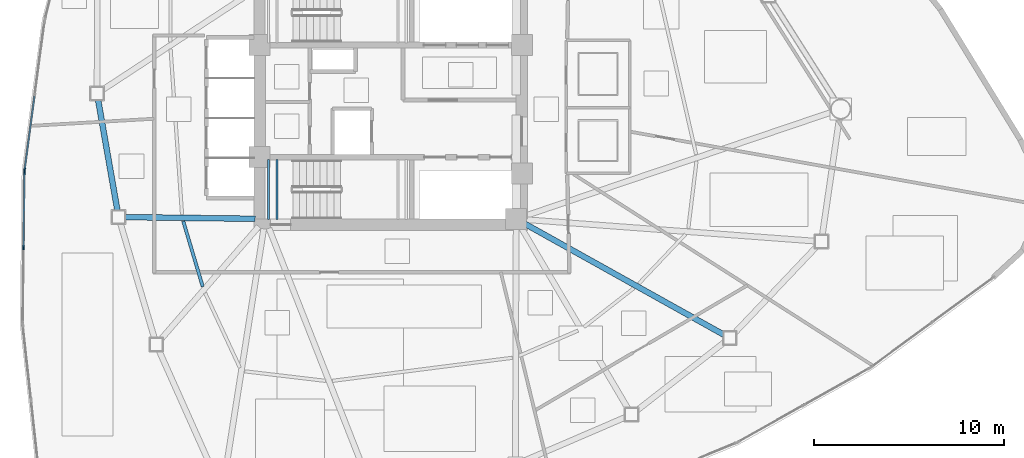
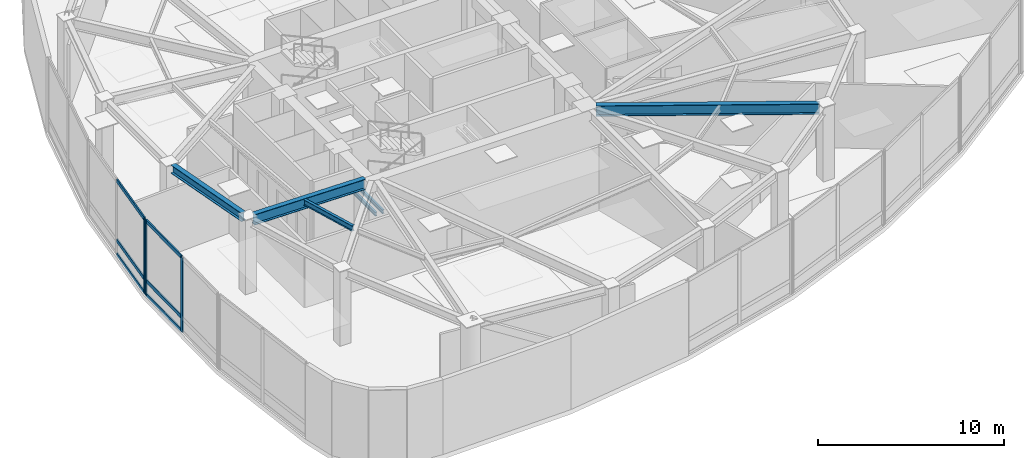
# One storey, part 3 of 14: 9 members, 6 beams, 2 elements without a shape of their own.
"""IFC4 building model written with IfcOpenShell, lengths in metres."""

from ifc_helpers import new_model, si_unit, direction, frame, origin, origin_2d, place, context, subcontext, project, spatial, hollow_rectangle, i_section, extrude, source, transform, mapped, material, layer, layer_set, material_profile, profile_set, type_object, type_shapes, element, aggregate, save


model = new_model("IFC4")

# Units and contexts
model_context = context("Model", 3, precision=1e-05, world=origin(), true_north=direction((0.0, 1.0)))
body_context = subcontext(model_context, "Body", "Model", "MODEL_VIEW")
ifc_project = project(units=[si_unit("LENGTHUNIT", "METRE"), si_unit("AREAUNIT", "SQUARE_METRE"), si_unit("VOLUMEUNIT", "CUBIC_METRE"), si_unit("PLANEANGLEUNIT", "RADIAN"), si_unit("MASSUNIT", "GRAM", prefix="KILO")], contexts=[model_context])

# Site, building, storey
site_placement = place(None, origin())
site = spatial("IfcSite", under=ifc_project, at=site_placement, CompositionType="ELEMENT")
building_placement = place(site_placement, origin())
building = spatial("IfcBuilding", under=site, at=building_placement, Name="Tavelor Broadcast Tower", CompositionType="ELEMENT")
storey_placement = place(building_placement, frame((0.0, 0.0, 110.39990234375)))
storey = spatial("IfcBuildingStorey", under=building, at=storey_placement, Name="L25", CompositionType="ELEMENT", Elevation=110.39990234375)

# Beams
ifc_material_1 = material(Name="Steel S355", Category="steel")
ifc_material_profile_1 = material_profile(ifc_material_1, i_section(OverallWidth=0.169921875, OverallDepth=0.360107421875, WebThickness=0.008056640625, FlangeThickness=0.0126953125, at=origin_2d()), Name="IPE 360")
ifc_profile_set_1 = profile_set([ifc_material_profile_1], Name="Steel S355")
beam_type_1 = type_object("IfcBeamType", Name="Composite Floor Joist T3 IPE 360", PredefinedType="JOIST", material=ifc_profile_set_1)
beam_1_placement = place(storey_placement, frame((39.084716796875, 38.68310546875, 4.72021484375), z_axis=(0.285203072184, -0.958467113477, 0.0), x_axis=(0.958467113477, 0.285203072184, 0.0)))
element("IfcBeam", 1, at=beam_1_placement, inside=storey, type_object=beam_type_1, Name="L25 Secondary Composite Floor Joist 05", PredefinedType="JOIST", context=body_context, shape_type="SweptSolid", body=[
    extrude(i_section(OverallWidth=0.169921875, OverallDepth=0.360107421875, WebThickness=0.008056640625, FlangeThickness=0.0126953125, at=origin_2d()), origin(), (0.0, 0.0, 1.0), 3.593505859375),
])
ifc_material_profile_2 = material_profile(ifc_material_1, i_section(OverallWidth=0.300048828125, OverallDepth=0.550048828125, WebThickness=0.014892578125, FlangeThickness=0.029052734375, at=origin_2d()), Name="HEB 550")
ifc_profile_set_2 = profile_set([ifc_material_profile_2], Name="Steel S355")
beam_type_2 = type_object("IfcBeamType", Name="Perimeter Spandrel Beam T3 HEB 550", PredefinedType="SPANDREL", material=ifc_profile_set_2)
beam_2_placement = place(storey_placement, frame((34.604248046875, 45.068115234375, 4.625), z_axis=(0.17197754126, -0.985100870623, 0.0), x_axis=(0.985100870623, 0.17197754126, 0.0)))
element("IfcBeam", 2, at=beam_2_placement, inside=storey, type_object=beam_type_2, Name="L25 Framed-Tube Ring Spandrel 04", PredefinedType="SPANDREL", context=body_context, shape_type="SweptSolid", body=[
    extrude(i_section(OverallWidth=0.300048828125, OverallDepth=0.550048828125, WebThickness=0.014892578125, FlangeThickness=0.029052734375, at=origin_2d()), origin(), (0.0, 0.0, 1.0), 5.925537109375),
])
ifc_material_profile_3 = material_profile(ifc_material_1, i_section(OverallWidth=0.300048828125, OverallDepth=0.68994140625, WebThickness=0.014404296875, FlangeThickness=0.027099609375, at=origin_2d()), Name="HEA 700")
ifc_profile_set_3 = profile_set([ifc_material_profile_3], Name="Steel S355")
beam_type_3 = type_object("IfcBeamType", Name="Radial Floor Girder T3 HEA 700", PredefinedType="BEAM", material=ifc_profile_set_3)
beam_3_placement = place(storey_placement, frame((42.8720703125, 38.806884765625, 4.55517578125), z_axis=(-0.999916440376, 0.012927190963, 0.0), x_axis=(-0.012927190963, -0.999916440376, 0.0)))
element("IfcBeam", 3, at=beam_3_placement, inside=storey, type_object=beam_type_3, Name="L25 Radial Primary Floor Girder 05", PredefinedType="BEAM", context=body_context, shape_type="SweptSolid", body=[
    extrude(i_section(OverallWidth=0.300048828125, OverallDepth=0.68994140625, WebThickness=0.014404296875, FlangeThickness=0.027099609375, at=origin_2d()), origin(), (0.0, 0.0, 1.0), 6.85546875),
])
beam_4_placement = place(storey_placement, frame((57.061279296875, 38.54296875, 4.55517578125), z_axis=(0.873405286678, -0.486994050481, 0.0), x_axis=(0.486994050481, 0.873405286678, 0.0)))
element("IfcBeam", 4, at=beam_4_placement, inside=storey, type_object=beam_type_3, Name="L25 Radial Primary Floor Girder 11", PredefinedType="BEAM", context=body_context, shape_type="SweptSolid", body=[
    extrude(i_section(OverallWidth=0.300048828125, OverallDepth=0.68994140625, WebThickness=0.014404296875, FlangeThickness=0.027099609375, at=origin_2d()), origin(), (0.0, 0.0, 1.0), 12.007568359375),
])
ifc_material_profile_4 = material_profile(ifc_material_1, i_section(OverallWidth=0.1201171875, OverallDepth=0.239990234375, WebThickness=0.006103515625, FlangeThickness=0.009765625, at=origin_2d()), Name="IPE 240")
ifc_profile_set_4 = profile_set([ifc_material_profile_4], Name="Steel S355")
beam_type_4 = type_object("IfcBeamType", Name="Stairwell Landing Support Trimmer Beam IPE240", PredefinedType="BEAM", material=ifc_profile_set_4)
for number, where, z_axis, x_axis, name in (
    (5, (43.574951171875, 38.760009765625, 2.28515625), (0.0, 1.0, 0.0), (-1.0, 0.0, 0.0), "L25 Stair Landing Support Beam 295"),
    (6, (44.014892578125, 38.760009765625, 2.28515625), (0.0, 1.0, 0.0), (-1.0, 0.0, 0.0), "L25 Stair Landing Support Beam 296"),
):
    element("IfcBeam", number, at=place(storey_placement, frame(where, z_axis=z_axis, x_axis=x_axis)), inside=storey, type_object=beam_type_4, Name=name, PredefinedType="BEAM", context=body_context, shape_type="SweptSolid", body=[
        extrude(i_section(OverallWidth=0.1201171875, OverallDepth=0.239990234375, WebThickness=0.006103515625, FlangeThickness=0.009765625, at=origin_2d()), origin(), (0.0, 0.0, 1.0), 3.179931640625),
    ])

# Curtain wall, member
ifc_material_2 = material(Name="Architectural Anodized Aluminium", Category="aluminium")
ifc_layer = layer(ifc_material_2, 0.239990234375)
ifc_layer_set = layer_set([ifc_layer], Name="Architectural Anodized Aluminium")
curtain_wall_type = type_object("IfcCurtainWallType", Name="Sky Lobby Feature Structural Curtain Wall CW05", PredefinedType="NOTDEFINED", material=ifc_layer_set)
curtain_wall_1_placement = place(storey_placement, origin())
curtain_wall_1 = element("IfcCurtainWall", 7, at=curtain_wall_1_placement, inside=storey, type_object=curtain_wall_type, Name="L25 Curtain Wall CW05 Run 242", PredefinedType="NOTDEFINED")
ifc_material_profile_5 = material_profile(ifc_material_2, hollow_rectangle(XDim=0.080078125, YDim=0.239990234375, WallThickness=0.02197265625, at=origin_2d()), Name="RHS 80x240x22")
ifc_profile_set_5 = profile_set([ifc_material_profile_5], Name="Architectural Anodized Aluminium")
member_type_1 = type_object("IfcMemberType", Name="CW05 Extruded Aluminium Mullion 80x240", PredefinedType="MULLION", material=ifc_profile_set_5)
shared_shape_1 = source(origin(), body_context, "Body", "SweptSolid", [
    extrude(hollow_rectangle(XDim=0.080078125, YDim=0.239990234375, WallThickness=0.02197265625, at=origin_2d()), origin(), (0.0, 0.0, 1.0), 4.900146484375),
])
type_shapes(member_type_1, [shared_shape_1])
member_1_placement = place(storey_placement, frame((30.737060546875, 41.365478515625, 0.0), z_axis=(0.0, 0.0, 1.0), x_axis=(0.99116015118, -0.132670851029, 0.0)))
member_1 = element("IfcMember", 8, at=member_1_placement, type_object=member_type_1, Name="CW05 mullion 3", PredefinedType="MULLION", context=body_context, shape_type="MappedRepresentation", body=[
    mapped(shared_shape_1, transform((0.0, 0.0, 0.0), scale=1.0)),
])

# Curtain wall, members
curtain_wall_2_placement = place(storey_placement, origin())
curtain_wall_2 = element("IfcCurtainWall", 9, at=curtain_wall_2_placement, inside=storey, type_object=curtain_wall_type, Name="L25 Curtain Wall CW05 Run 243", PredefinedType="NOTDEFINED")
member_2_placement = place(storey_placement, frame((30.72900390625, 41.256103515625, 0.0), z_axis=(0.0, 0.0, 1.0), x_axis=(0.999930808215, -0.011763451118, 0.0)))
member_2 = element("IfcMember", 10, at=member_2_placement, type_object=member_type_1, Name="CW05 mullion 1", PredefinedType="MULLION", context=body_context, shape_type="MappedRepresentation", body=[
    mapped(shared_shape_1, transform((0.0, 0.0, 0.0), scale=1.0)),
])
member_3_placement = place(storey_placement, frame((30.682373046875, 37.292236328125, 0.0), z_axis=(0.0, 0.0, 1.0), x_axis=(0.999930808215, -0.011763451118, 0.0)))
member_3 = element("IfcMember", 11, at=member_3_placement, type_object=member_type_1, Name="CW05 mullion 2", PredefinedType="MULLION", context=body_context, shape_type="MappedRepresentation", body=[
    mapped(shared_shape_1, transform((0.0, 0.0, 0.0), scale=1.0)),
])

# Member
ifc_material_profile_6 = material_profile(ifc_material_2, hollow_rectangle(XDim=0.080078125, YDim=0.239990234375, WallThickness=0.02197265625, at=origin_2d()), Name="RHS 80x240x22")
ifc_profile_set_6 = profile_set([ifc_material_profile_6], Name="Architectural Anodized Aluminium")
member_type_2 = type_object("IfcMemberType", Name="CW05 Extruded Aluminium Transom 80x240", PredefinedType="USERDEFINED", material=ifc_profile_set_6)
shared_shape_2 = source(origin(), body_context, "Body", "SweptSolid", [
    extrude(hollow_rectangle(XDim=0.080078125, YDim=0.239990234375, WallThickness=0.02197265625, at=origin_2d()), origin(), (0.0, 0.0, 1.0), 3.884033203125),
])
type_shapes(member_type_2, [shared_shape_2])
member_4_placement = place(storey_placement, frame((31.257568359375, 45.254638671875, 0.0400390625), z_axis=(-0.1326330912, -0.991165204756, 0.0), x_axis=(0.991165204756, -0.1326330912, 0.0)))
member_4 = element("IfcMember", 12, at=member_4_placement, type_object=member_type_2, Name="CW05 transom 2.1", ObjectType="TRANSOM", PredefinedType="USERDEFINED", context=body_context, shape_type="MappedRepresentation", body=[
    mapped(shared_shape_2, transform((0.0, 0.0, 0.0), scale=1.0)),
])

member_5_placement = place(storey_placement, frame((31.257568359375, 45.254638671875, 0.9501953125), z_axis=(-0.1326330912, -0.991165204756, 0.0), x_axis=(0.991165204756, -0.1326330912, 0.0)))
member_5 = element("IfcMember", 13, at=member_5_placement, type_object=member_type_2, Name="CW05 transom 2.2", ObjectType="TRANSOM", PredefinedType="USERDEFINED", context=body_context, shape_type="MappedRepresentation", body=[
    mapped(shared_shape_2, transform((0.0, 0.0, 0.0), scale=1.0)),
])

member_6_placement = place(storey_placement, frame((31.257568359375, 45.254638671875, 4.860107421875), z_axis=(-0.1326330912, -0.991165204756, 0.0), x_axis=(0.991165204756, -0.1326330912, 0.0)))
member_6 = element("IfcMember", 14, at=member_6_placement, type_object=member_type_2, Name="CW05 transom 2.3", ObjectType="TRANSOM", PredefinedType="USERDEFINED", context=body_context, shape_type="MappedRepresentation", body=[
    mapped(shared_shape_2, transform((0.0, 0.0, 0.0), scale=1.0)),
])

aggregate(curtain_wall_1, [member_1, member_4, member_5, member_6])

member_7_placement = place(storey_placement, frame((30.728515625, 41.216064453125, 0.0400390625), z_axis=(-0.01175427969, -0.999930916068, 0.0), x_axis=(0.999930916068, -0.01175427969, 0.0)))
member_7 = element("IfcMember", 15, at=member_7_placement, type_object=member_type_2, Name="CW05 transom 1.1", ObjectType="TRANSOM", PredefinedType="USERDEFINED", context=body_context, shape_type="MappedRepresentation", body=[
    mapped(shared_shape_2, transform((0.0, 0.0, 0.0), scale=1.0)),
])

member_8_placement = place(storey_placement, frame((30.728515625, 41.216064453125, 0.9501953125), z_axis=(-0.01175427969, -0.999930916068, 0.0), x_axis=(0.999930916068, -0.01175427969, 0.0)))
member_8 = element("IfcMember", 16, at=member_8_placement, type_object=member_type_2, Name="CW05 transom 1.2", ObjectType="TRANSOM", PredefinedType="USERDEFINED", context=body_context, shape_type="MappedRepresentation", body=[
    mapped(shared_shape_2, transform((0.0, 0.0, 0.0), scale=1.0)),
])

member_9_placement = place(storey_placement, frame((30.728515625, 41.216064453125, 4.860107421875), z_axis=(-0.01175427969, -0.999930916068, 0.0), x_axis=(0.999930916068, -0.01175427969, 0.0)))
member_9 = element("IfcMember", 17, at=member_9_placement, type_object=member_type_2, Name="CW05 transom 1.3", ObjectType="TRANSOM", PredefinedType="USERDEFINED", context=body_context, shape_type="MappedRepresentation", body=[
    mapped(shared_shape_2, transform((0.0, 0.0, 0.0), scale=1.0)),
])

aggregate(curtain_wall_2, [member_2, member_3, member_7, member_8, member_9])

save(model, "model.ifc")
